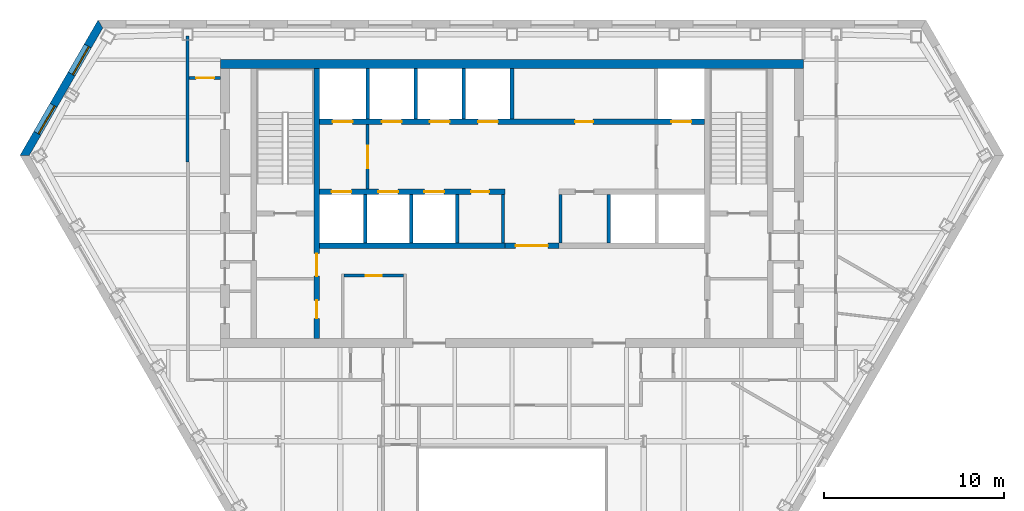
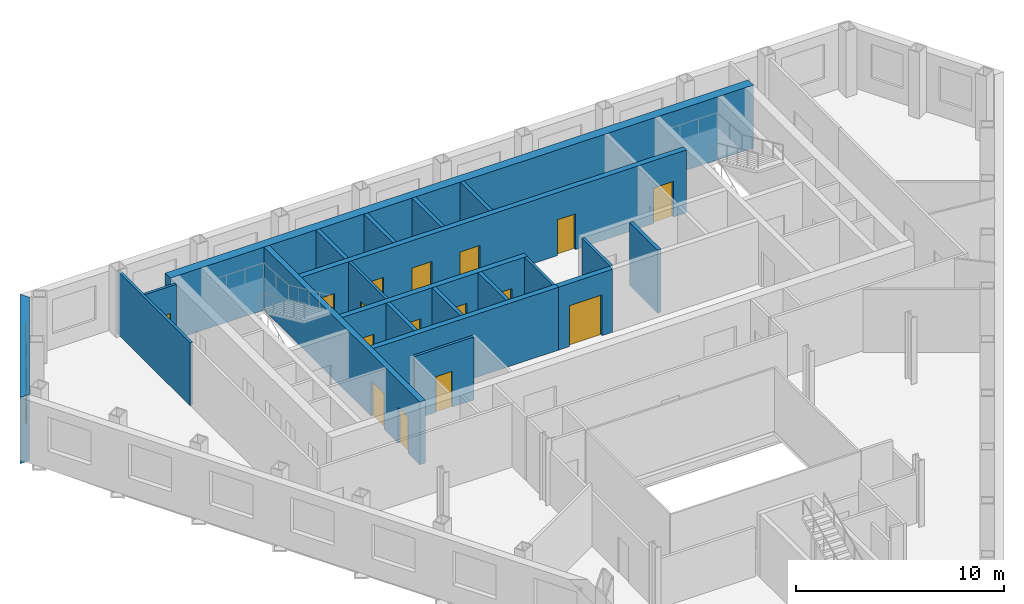
# One storey, part 6 of 11: 21 walls, 16 doors, 2 windows, 18 openings.
"""IFC4 building model written with IfcOpenShell, lengths in metres."""

from ifc_helpers import new_model, si_unit, direction, frame, frame_2d, origin, place, context, subcontext, project, spatial, polyline, rectangle, outline, extrude, material, layer, layer_set, type_object, element, fill, save


model = new_model("IFC4")

# Units and contexts
model_context = context("Model", 3, precision=1e-05, world=origin(), true_north=direction((0.0, 1.0)))
body_context = subcontext(model_context, "Body", "Model", "MODEL_VIEW")
ifc_project = project(units=[si_unit("LENGTHUNIT", "METRE"), si_unit("AREAUNIT", "SQUARE_METRE"), si_unit("VOLUMEUNIT", "CUBIC_METRE"), si_unit("PLANEANGLEUNIT", "RADIAN"), si_unit("MASSUNIT", "GRAM", prefix="KILO")], contexts=[model_context])

# Site, building, storey
site_placement = place(None, origin())
site = spatial("IfcSite", under=ifc_project, at=site_placement, CompositionType="ELEMENT")
building_placement = place(site_placement, origin())
building = spatial("IfcBuilding", under=site, at=building_placement, Name="Njiva Tower", CompositionType="ELEMENT")
storey_placement = place(building_placement, frame((0.0, 0.0, 151.5)))
storey = spatial("IfcBuildingStorey", under=building, at=storey_placement, Name="L32", CompositionType="ELEMENT", Elevation=151.5)

# Walls
ifc_material_1 = material(Name="Blockwork", Category="masonry")
ifc_layer_1 = layer(ifc_material_1, 0.15)
ifc_layer_set_1 = layer_set([ifc_layer_1], Name="Blockwork")
wall_type_1 = type_object("IfcWallType", Name="WT1 Compartment partition 150", PredefinedType="PARTITIONING", material=ifc_layer_set_1)
for number, where, z_axis, x_axis, name in (
    (1, (-0.5, 7.8, 0.0), (0.0, 0.0, 1.0), (0.0, 1.0, 0.0), "Partition CS4"),
    (2, (2.7, 7.8, 0.0), (0.0, 0.0, 1.0), (0.0, 1.0, 0.0), "Partition CS5"),
):
    element("IfcWall", number, at=place(storey_placement, frame(where, z_axis=z_axis, x_axis=x_axis)), inside=storey, type_object=wall_type_1, Name=name, PredefinedType="PARTITIONING", context=body_context, shape_type="SweptSolid", body=[
        extrude(rectangle(XDim=2.7, YDim=0.15, at=frame_2d((1.35, 0.0))), origin(), (0.0, 0.0, 1.0), 3.7),
    ])

# Wall, opening, door
wall_1_placement = place(storey_placement, frame((-9.325, 6.0, 0.0), z_axis=(0.0, 0.0, 1.0), x_axis=(1.0, 0.0, 0.0)))
wall_1 = element("IfcWall", 3, at=wall_1_placement, inside=storey, type_object=wall_type_1, Name="Information office wall north", PredefinedType="PARTITIONING", context=body_context, shape_type="SweptSolid", body=[
    extrude(rectangle(XDim=3.3, YDim=0.15, at=frame_2d((1.65, 0.0))), origin(), (0.0, 0.0, 1.0), 3.7),
])
opening_1_placement = place(wall_1_placement, frame((1.2, 0.0, 0.0)))
opening_1 = element("IfcOpeningElement", 4, at=opening_1_placement, cuts=wall_1, Name="Opening S11-D932", PredefinedType="OPENING", context=body_context, shape_type="SweptSolid", body=[
    extrude(rectangle(XDim=0.9, YDim=2.1, at=frame_2d((0.45, 1.05))), frame((0.0, 0.085, 0.0), z_axis=(0.0, -1.0, 0.0), x_axis=(1.0, 0.0, 0.0)), (0.0, 0.0, 1.0), 0.17),
])
ifc_material_2 = material(Name="Steel fire door, painted", Category="steel")
door_type_1 = type_object("IfcDoorType", Name="D6 Fire-rated door 900x2100", OperationType="SINGLE_SWING_LEFT", PredefinedType="DOOR", material=ifc_material_2)
door_1_placement = place(opening_1_placement, origin())
door_1 = element("IfcDoor", 5, at=door_1_placement, inside=storey, type_object=door_type_1, Name="Information office door", OperationType="SINGLE_SWING_RIGHT", OverallHeight=2.1, OverallWidth=0.9, PredefinedType="DOOR", context=body_context, shape_type="SweptSolid", body=[
    extrude(rectangle(XDim=0.9, YDim=2.1, at=frame_2d((0.45, 1.05))), frame((0.0, 0.025, 0.0), z_axis=(0.0, -1.0, 0.0), x_axis=(1.0, 0.0, 0.0)), (0.0, 0.0, 1.0), 0.05),
])
fill(opening_1, door_1)

# Wall, openings, doors
ifc_material_3 = material(Name="Concrete C40/50", Category="concrete")
ifc_layer_2 = layer(ifc_material_3, 0.3)
ifc_layer_set_2 = layer_set([ifc_layer_2], Name="Concrete C40/50")
wall_type_2 = type_object("IfcWallType", Name="WT10 Stair enclosure wall 300", PredefinedType="SHEAR", material=ifc_layer_set_2)
wall_2_placement = place(storey_placement, frame((-10.85, 2.5, 0.0), z_axis=(0.0, 0.0, 1.0), x_axis=(0.0, 1.0, 0.0)))
wall_2 = element("IfcWall", 6, at=wall_2_placement, inside=storey, type_object=wall_type_2, Name="Stair wall west inner", PredefinedType="SHEAR", context=body_context, shape_type="SweptSolid", body=[
    extrude(rectangle(XDim=15.0, YDim=0.3, at=frame_2d((7.5, 0.0))), origin(), (0.0, 0.0, 1.0), 3.7),
])
opening_2_placement = place(wall_2_placement, frame((3.475, 0.0, 0.0)))
opening_2 = element("IfcOpeningElement", 7, at=opening_2_placement, cuts=wall_2, Name="Opening S11-D914", PredefinedType="OPENING", context=body_context, shape_type="SweptSolid", body=[
    extrude(rectangle(XDim=1.25, YDim=2.1, at=frame_2d((0.625, 1.05))), frame((0.0, 0.16, 0.0), z_axis=(0.0, -1.0, 0.0), x_axis=(1.0, 0.0, 0.0)), (0.0, 0.0, 1.0), 0.32),
])
opening_3_placement = place(wall_2_placement, frame((1.125, 0.0, 0.0)))
opening_3 = element("IfcOpeningElement", 8, at=opening_3_placement, cuts=wall_2, Name="Opening S11-D915", PredefinedType="OPENING", context=body_context, shape_type="SweptSolid", body=[
    extrude(rectangle(XDim=1.0, YDim=2.1, at=frame_2d((0.5, 1.05))), frame((0.0, 0.16, 0.0), z_axis=(0.0, -1.0, 0.0), x_axis=(1.0, 0.0, 0.0)), (0.0, 0.0, 1.0), 0.32),
])
ifc_material_4 = material(Name="Steel door, painted", Category="steel")
door_type_2 = type_object("IfcDoorType", Name="D5 Steel door 1000x2100", OperationType="SINGLE_SWING_LEFT", PredefinedType="DOOR", material=ifc_material_4)
door_2_placement = place(opening_3_placement, origin())
door_2 = element("IfcDoor", 9, at=door_2_placement, inside=storey, type_object=door_type_2, Name="Breakout room door", OperationType="SINGLE_SWING_RIGHT", OverallHeight=2.1, OverallWidth=1.0, PredefinedType="DOOR", context=body_context, shape_type="SweptSolid", body=[
    extrude(rectangle(XDim=1.0, YDim=2.1, at=frame_2d((0.5, 1.05))), frame((0.0, 0.025, 0.0), z_axis=(0.0, -1.0, 0.0), x_axis=(1.0, 0.0, 0.0)), (0.0, 0.0, 1.0), 0.05),
])
fill(opening_3, door_2)
ifc_material_5 = material(Name="Glazed steel fire door", Category="steel")
door_type_3 = type_object("IfcDoorType", Name="D8 Vestibule corridor door 1250x2100 glazed", OperationType="SINGLE_SWING_LEFT", PredefinedType="DOOR", material=ifc_material_5)
door_3_placement = place(opening_2_placement, origin())
door_3 = element("IfcDoor", 10, at=door_3_placement, inside=storey, type_object=door_type_3, Name="Stair vestibule corridor door", OperationType="SINGLE_SWING_LEFT", OverallHeight=2.1, OverallWidth=1.25, PredefinedType="DOOR", context=body_context, shape_type="SweptSolid", body=[
    extrude(rectangle(XDim=1.25, YDim=2.1, at=frame_2d((0.625, 1.05))), frame((0.0, 0.025, 0.0), z_axis=(0.0, -1.0, 0.0), x_axis=(1.0, 0.0, 0.0)), (0.0, 0.0, 1.0), 0.05),
])
fill(opening_2, door_3)

# Wall
ifc_material_6 = material(Name="Concrete C60/75", Category="concrete")
ifc_layer_3 = layer(ifc_material_6, 0.5)
ifc_layer_set_3 = layer_set([ifc_layer_3], Name="Concrete C60/75")
wall_type_3 = type_object("IfcWallType", Name="WT13 Core wall 500", PredefinedType="SHEAR", material=ifc_layer_set_3)
wall_3_placement = place(storey_placement, frame((-16.2, 17.75, 0.0), z_axis=(0.0, 0.0, 1.0), x_axis=(1.0, 0.0, 0.0)))
element("IfcWall", 11, at=wall_3_placement, inside=storey, type_object=wall_type_3, Name="Core wall north", PredefinedType="SHEAR", context=body_context, shape_type="SweptSolid", body=[
    extrude(rectangle(XDim=32.4, YDim=0.5, at=frame_2d((16.2, 0.0))), origin(), (0.0, 0.0, 1.0), 3.7),
])

# Wall, opening, door
ifc_layer_4 = layer(ifc_material_1, 0.15)
ifc_layer_set_4 = layer_set([ifc_layer_4], Name="Blockwork")
wall_type_4 = type_object("IfcWallType", Name="WT2 Lobby partition 150", PredefinedType="PARTITIONING", material=ifc_layer_set_4)
wall_4_placement = place(storey_placement, frame((-8.025, 10.8, 0.0), z_axis=(0.0, 0.0, 1.0), x_axis=(0.0, 1.0, 0.0)))
wall_4 = element("IfcWall", 12, at=wall_4_placement, inside=storey, type_object=wall_type_4, Name="Firefighting lobby wall A", PredefinedType="PARTITIONING", context=body_context, shape_type="SweptSolid", body=[
    extrude(rectangle(XDim=3.6, YDim=0.15, at=frame_2d((1.8, 0.0))), origin(), (0.0, 0.0, 1.0), 3.7),
])
opening_4_placement = place(wall_4_placement, frame((1.175, 0.0, 0.0)))
opening_4 = element("IfcOpeningElement", 13, at=opening_4_placement, cuts=wall_4, Name="Opening S11-D912", PredefinedType="OPENING", context=body_context, shape_type="SweptSolid", body=[
    extrude(rectangle(XDim=1.25, YDim=2.1, at=frame_2d((0.625, 1.05))), frame((0.0, 0.085, 0.0), z_axis=(0.0, -1.0, 0.0), x_axis=(1.0, 0.0, 0.0)), (0.0, 0.0, 1.0), 0.17),
])
door_4_placement = place(opening_4_placement, origin())
door_4 = element("IfcDoor", 14, at=door_4_placement, inside=storey, type_object=door_type_3, Name="Stair vestibule corridor door", OperationType="SINGLE_SWING_RIGHT", OverallHeight=2.1, OverallWidth=1.25, PredefinedType="DOOR", context=body_context, shape_type="SweptSolid", body=[
    extrude(rectangle(XDim=1.25, YDim=2.1, at=frame_2d((0.625, 1.05))), frame((0.0, 0.025, 0.0), z_axis=(0.0, -1.0, 0.0), x_axis=(1.0, 0.0, 0.0)), (0.0, 0.0, 1.0), 0.05),
])
fill(opening_4, door_4)

# Wall
ifc_material_7 = material(Name="Gypsum board on steel studs", Category="gypsum")
ifc_layer_5 = layer(ifc_material_7, 0.15)
ifc_layer_set_5 = layer_set([ifc_layer_5], Name="Gypsum board on steel studs")
wall_type_5 = type_object("IfcWallType", Name="WT21 Compartment wall 150", PredefinedType="PARTITIONING", material=ifc_layer_set_5)
wall_5_placement = place(storey_placement, frame((-18.027, 12.321, 0.0), z_axis=(0.0, 0.0, 1.0), x_axis=(0.0, 1.0, 0.0)))
element("IfcWall", 15, at=wall_5_placement, inside=storey, type_object=wall_type_5, Name="Partition S11-P001", PredefinedType="PARTITIONING", context=body_context, shape_type="SweptSolid", body=[
    extrude(rectangle(XDim=6.979, YDim=0.15, at=frame_2d((3.4895, 0.0))), origin(), (0.0, 0.0, 1.0), 3.7),
])

# Wall, opening, door
wall_6_placement = place(storey_placement, frame((-17.952, 16.977, 0.0), z_axis=(0.0, 0.0, 1.0), x_axis=(1.0, 0.0, 0.0)))
wall_6 = element("IfcWall", 16, at=wall_6_placement, inside=storey, type_object=wall_type_5, Name="Partition S11-P003", PredefinedType="PARTITIONING", context=body_context, shape_type="SweptSolid", body=[
    extrude(rectangle(XDim=1.752, YDim=0.15, at=frame_2d((0.876, 0.0))), origin(), (0.0, 0.0, 1.0), 3.7),
])
opening_5_placement = place(wall_6_placement, frame((0.401, 0.0, 0.0)))
opening_5 = element("IfcOpeningElement", 17, at=opening_5_placement, cuts=wall_6, Name="Opening S11-D001", PredefinedType="OPENING", context=body_context, shape_type="SweptSolid", body=[
    extrude(rectangle(XDim=1.0, YDim=2.1, at=frame_2d((0.5, 1.05))), frame((0.0, 0.085, 0.0), z_axis=(0.0, -1.0, 0.0), x_axis=(1.0, 0.0, 0.0)), (0.0, 0.0, 1.0), 0.17),
])
ifc_material_8 = material(Name="Steel fire door set", Category="steel")
door_type_4 = type_object("IfcDoorType", Name="D37 Fire door 1000x2100", OperationType="SINGLE_SWING_LEFT", PredefinedType="DOOR", material=ifc_material_8)
door_5_placement = place(opening_5_placement, origin())
door_5 = element("IfcDoor", 18, at=door_5_placement, inside=storey, type_object=door_type_4, Name="Door S11-D001", OperationType="SINGLE_SWING_LEFT", OverallHeight=2.1, OverallWidth=1.0, PredefinedType="DOOR", context=body_context, shape_type="SweptSolid", body=[
    extrude(rectangle(XDim=1.0, YDim=2.1, at=frame_2d((0.5, 1.05))), frame((0.0, 0.025, 0.0), z_axis=(0.0, -1.0, 0.0), x_axis=(1.0, 0.0, 0.0)), (0.0, 0.0, 1.0), 0.05),
])
fill(opening_5, door_5)

ifc_layer_6 = layer(ifc_material_1, 0.3)
ifc_layer_set_6 = layer_set([ifc_layer_6], Name="Blockwork")
wall_type_6 = type_object("IfcWallType", Name="WT5 Lobby partition 300", PredefinedType="PARTITIONING", material=ifc_layer_set_6)
wall_7_placement = place(storey_placement, frame((-0.4, 7.65, 0.0), z_axis=(0.0, 0.0, 1.0), x_axis=(1.0, 0.0, 0.0)))
wall_7 = element("IfcWall", 19, at=wall_7_placement, inside=storey, type_object=wall_type_6, Name="Lift lobby screen wall", PredefinedType="PARTITIONING", context=body_context, shape_type="SweptSolid", body=[
    extrude(rectangle(XDim=3.0, YDim=0.3, at=frame_2d((1.5, 0.0))), origin(), (0.0, 0.0, 1.0), 3.7),
])
opening_6_placement = place(wall_7_placement, frame((0.6, 0.0, 0.0)))
opening_6 = element("IfcOpeningElement", 20, at=opening_6_placement, cuts=wall_7, Name="Opening S11-D933", PredefinedType="OPENING", context=body_context, shape_type="SweptSolid", body=[
    extrude(rectangle(XDim=1.8, YDim=2.4, at=frame_2d((0.9, 1.2))), frame((0.0, 0.16, 0.0), z_axis=(0.0, -1.0, 0.0), x_axis=(1.0, 0.0, 0.0)), (0.0, 0.0, 1.0), 0.32),
])
ifc_material_9 = material(Name="Steel and glass door", Category="steel")
door_type_5 = type_object("IfcDoorType", Name="D3 Core entrance door 1800x2400", OperationType="DOUBLE_DOOR_SINGLE_SWING", PredefinedType="DOOR", material=ifc_material_9)
door_6_placement = place(opening_6_placement, origin())
door_6 = element("IfcDoor", 21, at=door_6_placement, inside=storey, type_object=door_type_5, Name="Core entrance door", OperationType="DOUBLE_DOOR_SINGLE_SWING", OverallHeight=2.4, OverallWidth=1.8, PredefinedType="DOOR", context=body_context, shape_type="SweptSolid", body=[
    extrude(rectangle(XDim=1.8, YDim=2.4, at=frame_2d((0.9, 1.2))), frame((0.0, 0.025, 0.0), z_axis=(0.0, -1.0, 0.0), x_axis=(1.0, 0.0, 0.0)), (0.0, 0.0, 1.0), 0.05),
])
fill(opening_6, door_6)

# Walls
ifc_layer_7 = layer(ifc_material_3, 0.2)
ifc_layer_set_7 = layer_set([ifc_layer_7], Name="Concrete C40/50")
wall_type_7 = type_object("IfcWallType", Name="WT6 Lift shaft wall 200", PredefinedType="SHEAR", material=ifc_layer_set_7)
for number, where, z_axis, x_axis, name in (
    (22, (-8.025, 14.7, 0.0), (0.0, 0.0, 1.0), (0.0, 1.0, 0.0), "Shaft wall CN1"),
    (23, (-5.35, 14.7, 0.0), (0.0, 0.0, 1.0), (0.0, 1.0, 0.0), "Shaft wall CN2"),
    (24, (-2.675, 14.7, 0.0), (0.0, 0.0, 1.0), (0.0, 1.0, 0.0), "Shaft wall CN3"),
    (25, (0.0, 14.7, 0.0), (0.0, 0.0, 1.0), (0.0, 1.0, 0.0), "Shaft wall CN4"),
):
    element("IfcWall", number, at=place(storey_placement, frame(where, z_axis=z_axis, x_axis=x_axis)), inside=storey, type_object=wall_type_7, Name=name, PredefinedType="SHEAR", context=body_context, shape_type="SweptSolid", body=[
        extrude(rectangle(XDim=2.8, YDim=0.2, at=frame_2d((1.4, 0.0))), origin(), (0.0, 0.0, 1.0), 3.7),
    ])
for number, where, z_axis, x_axis, name in (
    (26, (-8.15, 7.8, 0.0), (0.0, 0.0, 1.0), (0.0, 1.0, 0.0), "Shaft wall CS1"),
    (27, (-5.6, 7.8, 0.0), (0.0, 0.0, 1.0), (0.0, 1.0, 0.0), "Shaft wall CS2"),
    (28, (-3.05, 7.8, 0.0), (0.0, 0.0, 1.0), (0.0, 1.0, 0.0), "Shaft wall CS3"),
    (29, (5.3667, 7.8, 0.0), (0.0, 0.0, 1.0), (0.0, 1.0, 0.0), "Shaft wall CS6"),
):
    element("IfcWall", number, at=place(storey_placement, frame(where, z_axis=z_axis, x_axis=x_axis)), inside=storey, type_object=wall_type_7, Name=name, PredefinedType="SHEAR", context=body_context, shape_type="SweptSolid", body=[
        extrude(rectangle(XDim=2.7, YDim=0.2, at=frame_2d((1.35, 0.0))), origin(), (0.0, 0.0, 1.0), 3.7),
    ])

# Wall, openings, doors
ifc_layer_8 = layer(ifc_material_3, 0.3)
ifc_layer_set_8 = layer_set([ifc_layer_8], Name="Concrete C40/50")
wall_type_8 = type_object("IfcWallType", Name="WT7 Lift shaft wall 300", PredefinedType="SHEAR", material=ifc_layer_set_8)
wall_8_placement = place(storey_placement, frame((-10.7, 14.55, 0.0), z_axis=(0.0, 0.0, 1.0), x_axis=(1.0, 0.0, 0.0)))
wall_8 = element("IfcWall", 30, at=wall_8_placement, inside=storey, type_object=wall_type_8, Name="Shaft wall north row lobby side", PredefinedType="SHEAR", context=body_context, shape_type="SweptSolid", body=[
    extrude(rectangle(XDim=21.4, YDim=0.3, at=frame_2d((10.7, 0.0))), origin(), (0.0, 0.0, 1.0), 3.7),
])
opening_7_placement = place(wall_8_placement, frame((0.7375, 0.0, 0.0)))
opening_7 = element("IfcOpeningElement", 31, at=opening_7_placement, cuts=wall_8, Name="Opening S11-D901", PredefinedType="OPENING", context=body_context, shape_type="SweptSolid", body=[
    extrude(rectangle(XDim=1.1, YDim=2.1, at=frame_2d((0.55, 1.05))), frame((0.0, 0.16, 0.0), z_axis=(0.0, -1.0, 0.0), x_axis=(1.0, 0.0, 0.0)), (0.0, 0.0, 1.0), 0.32),
])
opening_8_placement = place(wall_8_placement, frame((3.4625, 0.0, 0.0)))
opening_8 = element("IfcOpeningElement", 32, at=opening_8_placement, cuts=wall_8, Name="Opening S11-D902", PredefinedType="OPENING", context=body_context, shape_type="SweptSolid", body=[
    extrude(rectangle(XDim=1.1, YDim=2.1, at=frame_2d((0.55, 1.05))), frame((0.0, 0.16, 0.0), z_axis=(0.0, -1.0, 0.0), x_axis=(1.0, 0.0, 0.0)), (0.0, 0.0, 1.0), 0.32),
])
opening_9_placement = place(wall_8_placement, frame((6.1375, 0.0, 0.0)))
opening_9 = element("IfcOpeningElement", 33, at=opening_9_placement, cuts=wall_8, Name="Opening S11-D903", PredefinedType="OPENING", context=body_context, shape_type="SweptSolid", body=[
    extrude(rectangle(XDim=1.1, YDim=2.1, at=frame_2d((0.55, 1.05))), frame((0.0, 0.16, 0.0), z_axis=(0.0, -1.0, 0.0), x_axis=(1.0, 0.0, 0.0)), (0.0, 0.0, 1.0), 0.32),
])
opening_10_placement = place(wall_8_placement, frame((8.8125, 0.0, 0.0)))
opening_10 = element("IfcOpeningElement", 34, at=opening_10_placement, cuts=wall_8, Name="Opening S11-D904", PredefinedType="OPENING", context=body_context, shape_type="SweptSolid", body=[
    extrude(rectangle(XDim=1.1, YDim=2.1, at=frame_2d((0.55, 1.05))), frame((0.0, 0.16, 0.0), z_axis=(0.0, -1.0, 0.0), x_axis=(1.0, 0.0, 0.0)), (0.0, 0.0, 1.0), 0.32),
])
opening_11_placement = place(wall_8_placement, frame((19.5625, 0.0, 0.0)))
opening_11 = element("IfcOpeningElement", 35, at=opening_11_placement, cuts=wall_8, Name="Opening S11-D905", PredefinedType="OPENING", context=body_context, shape_type="SweptSolid", body=[
    extrude(rectangle(XDim=1.1, YDim=2.1, at=frame_2d((0.55, 1.05))), frame((0.0, 0.16, 0.0), z_axis=(0.0, -1.0, 0.0), x_axis=(1.0, 0.0, 0.0)), (0.0, 0.0, 1.0), 0.32),
])
opening_12_placement = place(wall_8_placement, frame((14.2125, 0.0, 0.0)))
opening_12 = element("IfcOpeningElement", 36, at=opening_12_placement, cuts=wall_8, Name="Opening S11-D909", PredefinedType="OPENING", context=body_context, shape_type="SweptSolid", body=[
    extrude(rectangle(XDim=1.0, YDim=2.1, at=frame_2d((0.5, 1.05))), frame((0.0, 0.16, 0.0), z_axis=(0.0, -1.0, 0.0), x_axis=(1.0, 0.0, 0.0)), (0.0, 0.0, 1.0), 0.32),
])
door_7_placement = place(opening_12_placement, origin())
door_7 = element("IfcDoor", 37, at=door_7_placement, inside=storey, type_object=door_type_2, Name="Meeting room door", OperationType="SINGLE_SWING_LEFT", OverallHeight=2.1, OverallWidth=1.0, PredefinedType="DOOR", context=body_context, shape_type="SweptSolid", body=[
    extrude(rectangle(XDim=1.0, YDim=2.1, at=frame_2d((0.5, 1.05))), frame((0.0, 0.025, 0.0), z_axis=(0.0, -1.0, 0.0), x_axis=(1.0, 0.0, 0.0)), (0.0, 0.0, 1.0), 0.05),
])
fill(opening_12, door_7)
ifc_material_10 = material(Name="Stainless steel sliding door", Category="steel")
door_type_6 = type_object("IfcDoorType", Name="LD Lift landing door 1100x2100", OperationType="SLIDING_TO_LEFT", PredefinedType="DOOR", material=ifc_material_10)
door_8_placement = place(opening_7_placement, origin())
door_8 = element("IfcDoor", 38, at=door_8_placement, inside=storey, type_object=door_type_6, Name="Lift landing door FF1", OperationType="SLIDING_TO_LEFT", OverallHeight=2.1, OverallWidth=1.1, PredefinedType="DOOR", context=body_context, shape_type="SweptSolid", body=[
    extrude(rectangle(XDim=1.1, YDim=2.1, at=frame_2d((0.55, 1.05))), frame((0.0, 0.025, 0.0), z_axis=(0.0, -1.0, 0.0), x_axis=(1.0, 0.0, 0.0)), (0.0, 0.0, 1.0), 0.05),
])
fill(opening_7, door_8)
door_9_placement = place(opening_8_placement, origin())
door_9 = element("IfcDoor", 39, at=door_9_placement, inside=storey, type_object=door_type_6, Name="Lift landing door MB4", OperationType="SLIDING_TO_LEFT", OverallHeight=2.1, OverallWidth=1.1, PredefinedType="DOOR", context=body_context, shape_type="SweptSolid", body=[
    extrude(rectangle(XDim=1.1, YDim=2.1, at=frame_2d((0.55, 1.05))), frame((0.0, 0.025, 0.0), z_axis=(0.0, -1.0, 0.0), x_axis=(1.0, 0.0, 0.0)), (0.0, 0.0, 1.0), 0.05),
])
fill(opening_8, door_9)
door_10_placement = place(opening_9_placement, origin())
door_10 = element("IfcDoor", 40, at=door_10_placement, inside=storey, type_object=door_type_6, Name="Lift landing door MB5", OperationType="SLIDING_TO_LEFT", OverallHeight=2.1, OverallWidth=1.1, PredefinedType="DOOR", context=body_context, shape_type="SweptSolid", body=[
    extrude(rectangle(XDim=1.1, YDim=2.1, at=frame_2d((0.55, 1.05))), frame((0.0, 0.025, 0.0), z_axis=(0.0, -1.0, 0.0), x_axis=(1.0, 0.0, 0.0)), (0.0, 0.0, 1.0), 0.05),
])
fill(opening_9, door_10)
door_11_placement = place(opening_10_placement, origin())
door_11 = element("IfcDoor", 41, at=door_11_placement, inside=storey, type_object=door_type_6, Name="Lift landing door MB6", OperationType="SLIDING_TO_LEFT", OverallHeight=2.1, OverallWidth=1.1, PredefinedType="DOOR", context=body_context, shape_type="SweptSolid", body=[
    extrude(rectangle(XDim=1.1, YDim=2.1, at=frame_2d((0.55, 1.05))), frame((0.0, 0.025, 0.0), z_axis=(0.0, -1.0, 0.0), x_axis=(1.0, 0.0, 0.0)), (0.0, 0.0, 1.0), 0.05),
])
fill(opening_10, door_11)
door_12_placement = place(opening_11_placement, origin())
door_12 = element("IfcDoor", 42, at=door_12_placement, inside=storey, type_object=door_type_6, Name="Lift landing door FF2", OperationType="SLIDING_TO_LEFT", OverallHeight=2.1, OverallWidth=1.1, PredefinedType="DOOR", context=body_context, shape_type="SweptSolid", body=[
    extrude(rectangle(XDim=1.1, YDim=2.1, at=frame_2d((0.55, 1.05))), frame((0.0, 0.025, 0.0), z_axis=(0.0, -1.0, 0.0), x_axis=(1.0, 0.0, 0.0)), (0.0, 0.0, 1.0), 0.05),
])
fill(opening_11, door_12)

wall_9_placement = place(storey_placement, frame((-10.7, 10.65, 0.0), z_axis=(0.0, 0.0, 1.0), x_axis=(1.0, 0.0, 0.0)))
wall_9 = element("IfcWall", 43, at=wall_9_placement, inside=storey, type_object=wall_type_8, Name="Shaft wall south row lobby side W", PredefinedType="SHEAR", context=body_context, shape_type="SweptSolid", body=[
    extrude(rectangle(XDim=10.3, YDim=0.3, at=frame_2d((5.15, 0.0))), origin(), (0.0, 0.0, 1.0), 3.7),
])
opening_13_placement = place(wall_9_placement, frame((0.675, 0.0, 0.0)))
opening_13 = element("IfcOpeningElement", 44, at=opening_13_placement, cuts=wall_9, Name="Opening S11-D906", PredefinedType="OPENING", context=body_context, shape_type="SweptSolid", body=[
    extrude(rectangle(XDim=1.1, YDim=2.1, at=frame_2d((0.55, 1.05))), frame((0.0, 0.16, 0.0), z_axis=(0.0, -1.0, 0.0), x_axis=(1.0, 0.0, 0.0)), (0.0, 0.0, 1.0), 0.32),
])
opening_14_placement = place(wall_9_placement, frame((3.275, 0.0, 0.0)))
opening_14 = element("IfcOpeningElement", 45, at=opening_14_placement, cuts=wall_9, Name="Opening S11-D907", PredefinedType="OPENING", context=body_context, shape_type="SweptSolid", body=[
    extrude(rectangle(XDim=1.1, YDim=2.1, at=frame_2d((0.55, 1.05))), frame((0.0, 0.16, 0.0), z_axis=(0.0, -1.0, 0.0), x_axis=(1.0, 0.0, 0.0)), (0.0, 0.0, 1.0), 0.32),
])
opening_15_placement = place(wall_9_placement, frame((5.825, 0.0, 0.0)))
opening_15 = element("IfcOpeningElement", 46, at=opening_15_placement, cuts=wall_9, Name="Opening S11-D908", PredefinedType="OPENING", context=body_context, shape_type="SweptSolid", body=[
    extrude(rectangle(XDim=1.1, YDim=2.1, at=frame_2d((0.55, 1.05))), frame((0.0, 0.16, 0.0), z_axis=(0.0, -1.0, 0.0), x_axis=(1.0, 0.0, 0.0)), (0.0, 0.0, 1.0), 0.32),
])
opening_16_placement = place(wall_9_placement, frame((8.425, 0.0, 0.0)))
opening_16 = element("IfcOpeningElement", 47, at=opening_16_placement, cuts=wall_9, Name="Opening S11-D910", PredefinedType="OPENING", context=body_context, shape_type="SweptSolid", body=[
    extrude(rectangle(XDim=1.0, YDim=2.1, at=frame_2d((0.5, 1.05))), frame((0.0, 0.16, 0.0), z_axis=(0.0, -1.0, 0.0), x_axis=(1.0, 0.0, 0.0)), (0.0, 0.0, 1.0), 0.32),
])
door_13_placement = place(opening_16_placement, origin())
door_13 = element("IfcDoor", 48, at=door_13_placement, inside=storey, type_object=door_type_2, Name="First aid room door", OperationType="SINGLE_SWING_RIGHT", OverallHeight=2.1, OverallWidth=1.0, PredefinedType="DOOR", context=body_context, shape_type="SweptSolid", body=[
    extrude(rectangle(XDim=1.0, YDim=2.1, at=frame_2d((0.5, 1.05))), frame((0.0, 0.025, 0.0), z_axis=(0.0, -1.0, 0.0), x_axis=(1.0, 0.0, 0.0)), (0.0, 0.0, 1.0), 0.05),
])
fill(opening_16, door_13)
door_14_placement = place(opening_13_placement, origin())
door_14 = element("IfcDoor", 49, at=door_14_placement, inside=storey, type_object=door_type_6, Name="Lift landing door MB1", OperationType="SLIDING_TO_LEFT", OverallHeight=2.1, OverallWidth=1.1, PredefinedType="DOOR", context=body_context, shape_type="SweptSolid", body=[
    extrude(rectangle(XDim=1.1, YDim=2.1, at=frame_2d((0.55, 1.05))), frame((0.0, 0.025, 0.0), z_axis=(0.0, -1.0, 0.0), x_axis=(1.0, 0.0, 0.0)), (0.0, 0.0, 1.0), 0.05),
])
fill(opening_13, door_14)
door_15_placement = place(opening_14_placement, origin())
door_15 = element("IfcDoor", 50, at=door_15_placement, inside=storey, type_object=door_type_6, Name="Lift landing door MB2", OperationType="SLIDING_TO_LEFT", OverallHeight=2.1, OverallWidth=1.1, PredefinedType="DOOR", context=body_context, shape_type="SweptSolid", body=[
    extrude(rectangle(XDim=1.1, YDim=2.1, at=frame_2d((0.55, 1.05))), frame((0.0, 0.025, 0.0), z_axis=(0.0, -1.0, 0.0), x_axis=(1.0, 0.0, 0.0)), (0.0, 0.0, 1.0), 0.05),
])
fill(opening_14, door_15)
door_16_placement = place(opening_15_placement, origin())
door_16 = element("IfcDoor", 51, at=door_16_placement, inside=storey, type_object=door_type_6, Name="Lift landing door MB3", OperationType="SLIDING_TO_LEFT", OverallHeight=2.1, OverallWidth=1.1, PredefinedType="DOOR", context=body_context, shape_type="SweptSolid", body=[
    extrude(rectangle(XDim=1.1, YDim=2.1, at=frame_2d((0.55, 1.05))), frame((0.0, 0.025, 0.0), z_axis=(0.0, -1.0, 0.0), x_axis=(1.0, 0.0, 0.0)), (0.0, 0.0, 1.0), 0.05),
])
fill(opening_15, door_16)

# Wall
wall_10_placement = place(storey_placement, frame((-10.7, 7.65, 0.0), z_axis=(0.0, 0.0, 1.0), x_axis=(1.0, 0.0, 0.0)))
element("IfcWall", 52, at=wall_10_placement, inside=storey, type_object=wall_type_8, Name="Shaft wall south row back W", PredefinedType="SHEAR", context=body_context, shape_type="SweptSolid", body=[
    extrude(rectangle(XDim=10.3, YDim=0.3, at=frame_2d((5.15, 0.0))), origin(), (0.0, 0.0, 1.0), 3.7),
])

# Wall, openings, windows
ifc_material_11 = material(Name="Brick masonry, buff", Category="masonry")
ifc_layer_9 = layer(ifc_material_11, 0.45)
ifc_layer_set_9 = layer_set([ifc_layer_9], Name="Brick masonry, buff")
wall_type_9 = type_object("IfcWallType", Name="WT94 Brick pier and spandrel wall 450, buff", PredefinedType="SOLIDWALL", material=ifc_layer_set_9)
wall_11_placement = place(storey_placement, frame((-22.8688, 19.9772, -0.4), z_axis=(0.0, 0.0, 1.0), x_axis=(-0.500000365375, -0.866025192835, 0.0)))
wall_11 = element("IfcWall", 53, at=wall_11_placement, inside=storey, type_object=wall_type_9, Name="Facade wall NW", PredefinedType="SOLIDWALL", context=body_context, shape_type="SweptSolid", body=[
    extrude(outline(polyline([(-0.1299, -0.225), (8.5501, -0.225), (8.2903, 0.225), (0.1299, 0.225), (-0.1299, -0.225)])), origin(), (0.0, 0.0, 1.0), 3.9),
])
opening_17_placement = place(wall_11_placement, frame((1.4094, 0.0, 1.3)))
opening_17 = element("IfcOpeningElement", 54, at=opening_17_placement, cuts=wall_11, Name="Opening S11-W10", PredefinedType="OPENING", context=body_context, shape_type="SweptSolid", body=[
    extrude(rectangle(XDim=1.8, YDim=2.0, at=frame_2d((0.9, 1.0))), frame((0.0, 0.235, 0.0), z_axis=(0.0, -1.0, 0.0), x_axis=(1.0, 0.0, 0.0)), (0.0, 0.0, 1.0), 0.47),
])
opening_18_placement = place(wall_11_placement, frame((5.2107, 0.0, 1.3)))
opening_18 = element("IfcOpeningElement", 55, at=opening_18_placement, cuts=wall_11, Name="Opening S11-W11", PredefinedType="OPENING", context=body_context, shape_type="SweptSolid", body=[
    extrude(rectangle(XDim=1.8, YDim=2.0, at=frame_2d((0.9, 1.0))), frame((0.0, 0.235, 0.0), z_axis=(0.0, -1.0, 0.0), x_axis=(1.0, 0.0, 0.0)), (0.0, 0.0, 1.0), 0.47),
])
ifc_material_12 = material(Name="Clear glazing in aluminium frame", Category="aluminium")
window_type = type_object("IfcWindowType", Name="W94 Deep-set window 1800x2000", PartitioningType="SINGLE_PANEL", PredefinedType="WINDOW", material=ifc_material_12)
window_1_placement = place(opening_17_placement, origin())
window_1 = element("IfcWindow", 56, at=window_1_placement, inside=storey, type_object=window_type, Name="Window", OverallHeight=2.0, OverallWidth=1.8, PartitioningType="SINGLE_PANEL", PredefinedType="WINDOW", context=body_context, shape_type="SweptSolid", body=[
    extrude(rectangle(XDim=1.8, YDim=2.0, at=frame_2d((0.9, 1.0))), frame((0.0, 0.105, 0.0), z_axis=(0.0, -1.0, 0.0), x_axis=(1.0, 0.0, 0.0)), (0.0, 0.0, 1.0), 0.06),
])
fill(opening_17, window_1)
window_2_placement = place(opening_18_placement, origin())
window_2 = element("IfcWindow", 57, at=window_2_placement, inside=storey, type_object=window_type, Name="Window", OverallHeight=2.0, OverallWidth=1.8, PartitioningType="SINGLE_PANEL", PredefinedType="WINDOW", context=body_context, shape_type="SweptSolid", body=[
    extrude(rectangle(XDim=1.8, YDim=2.0, at=frame_2d((0.9, 1.0))), frame((0.0, 0.105, 0.0), z_axis=(0.0, -1.0, 0.0), x_axis=(1.0, 0.0, 0.0)), (0.0, 0.0, 1.0), 0.06),
])
fill(opening_18, window_2)

save(model, "model.ifc")
